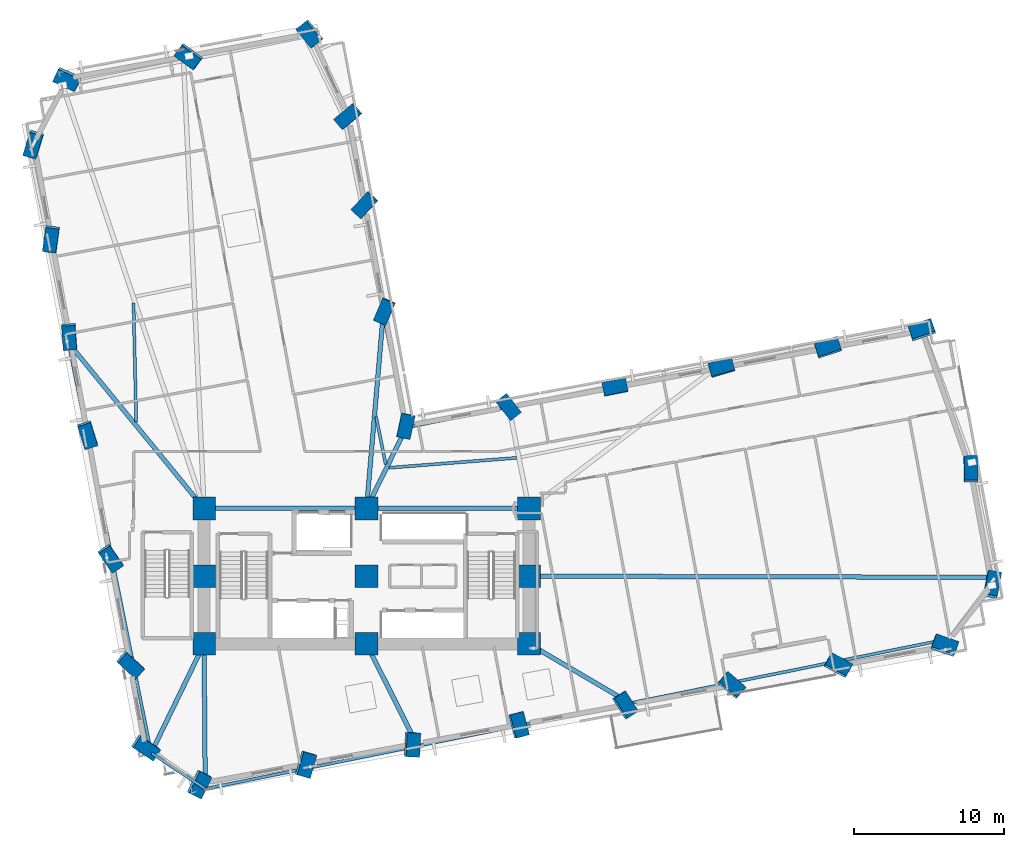
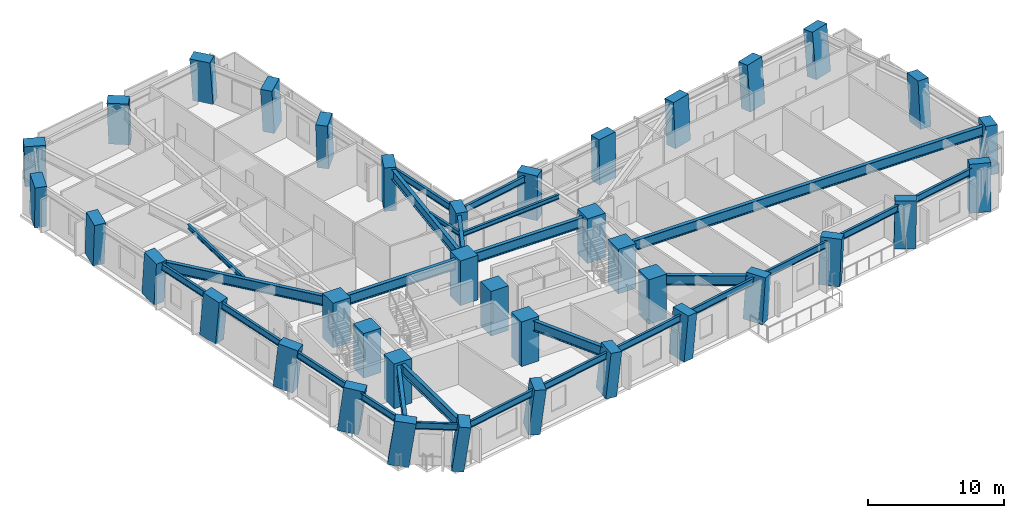
# One storey, part 1 of 16: 38 columns, 27 beams.
"""IFC4 building model written with IfcOpenShell, lengths in metres."""

from ifc_helpers import new_model, si_unit, direction, frame, origin, origin_2d, place, context, subcontext, project, spatial, rectangle, i_section, extrude, material, material_profile, profile_set, type_object, element, save


model = new_model("IFC4")

# Units and contexts
model_context = context("Model", 3, precision=1e-05, world=origin(), true_north=direction((0.0, 1.0)))
body_context = subcontext(model_context, "Body", "Model", "MODEL_VIEW")
ifc_project = project(units=[si_unit("LENGTHUNIT", "METRE"), si_unit("AREAUNIT", "SQUARE_METRE"), si_unit("VOLUMEUNIT", "CUBIC_METRE"), si_unit("PLANEANGLEUNIT", "RADIAN"), si_unit("MASSUNIT", "GRAM", prefix="KILO")], contexts=[model_context])

# Site, building, storey
site_placement = place(None, origin())
site = spatial("IfcSite", under=ifc_project, at=site_placement, CompositionType="ELEMENT")
building_placement = place(site_placement, origin())
building = spatial("IfcBuilding", under=site, at=building_placement, Name="Gaonmaruhae Medical Tower", CompositionType="ELEMENT")
storey_placement = place(building_placement, frame((0.0, 0.0, 67.0)))
storey = spatial("IfcBuildingStorey", under=building, at=storey_placement, Name="L15", CompositionType="ELEMENT", Elevation=67.0)

# Columns
ifc_material_1 = material(Name="Concrete C60/75", Category="concrete")
ifc_material_profile_1 = material_profile(ifc_material_1, rectangle(XDim=1.5, YDim=1.5, at=origin_2d()), Name="RC-1500x1500")
ifc_profile_set_1 = profile_set([ifc_material_profile_1], Name="Concrete C60/75")
column_type_1 = type_object("IfcColumnType", Name="CC-02 Zone 1 Core Column (RC-1500x1500)", PredefinedType="COLUMN", material=ifc_profile_set_1)
for number, where, z_axis, x_axis, name in (
    (1, (14.0, 7.800048828125, 0.0), (0.0, 0.0, 1.0), (1.0, 0.0, 0.0), "L15 Plumb Core Column CC11"),
    (2, (14.0, 12.300048828125, 0.0), (0.0, 0.0, 1.0), (1.0, 0.0, 0.0), "L15 Plumb Core Column CC12"),
    (3, (14.0, 16.800048828125, 0.0), (0.0, 0.0, 1.0), (1.0, 0.0, 0.0), "L15 Plumb Core Column CC13"),
    (4, (24.800048828125, 7.800048828125, 0.0), (0.0, 0.0, 1.0), (1.0, 0.0, 0.0), "L15 Plumb Core Column CC21"),
    (5, (24.800048828125, 12.300048828125, 0.0), (0.0, 0.0, 1.0), (1.0, 0.0, 0.0), "L15 Plumb Core Column CC22"),
    (6, (24.800048828125, 16.800048828125, 0.0), (0.0, 0.0, 1.0), (1.0, 0.0, 0.0), "L15 Plumb Core Column CC23"),
    (7, (35.60009765625, 7.800048828125, 0.0), (0.0, 0.0, 1.0), (1.0, 0.0, 0.0), "L15 Plumb Core Column CC31"),
    (8, (35.60009765625, 12.300048828125, 0.0), (0.0, 0.0, 1.0), (1.0, 0.0, 0.0), "L15 Plumb Core Column CC32"),
    (9, (35.60009765625, 16.800048828125, 0.0), (0.0, 0.0, 1.0), (1.0, 0.0, 0.0), "L15 Plumb Core Column CC33"),
):
    element("IfcColumn", number, at=place(storey_placement, frame(where, z_axis=z_axis, x_axis=x_axis)), inside=storey, type_object=column_type_1, Name=name, PredefinedType="COLUMN", context=body_context, shape_type="SweptSolid", body=[
        extrude(rectangle(XDim=1.5, YDim=1.5, at=origin_2d()), origin(), (0.0, 0.0, 1.0), 4.0),
    ])
ifc_material_profile_2 = material_profile(ifc_material_1, rectangle(XDim=1.60009765625, YDim=0.89990234375, at=origin_2d()), Name="RC-1600x900")
ifc_profile_set_2 = profile_set([ifc_material_profile_2], Name="Concrete C60/75")
column_type_2 = type_object("IfcColumnType", Name="TC-01 Lower Raking Tube Pier Column (RC-1600x900)", PredefinedType="COLUMN", material=ifc_profile_set_2)
column_1_placement = place(storey_placement, frame((13.640625, -1.506591796875, 0.001708984375), z_axis=(0.10869923994, -0.08110076922, 0.990760889654), x_axis=(0.444049859496, 0.895664355856, 0.02459845383)))
element("IfcColumn", 10, at=column_1_placement, inside=storey, type_object=column_type_2, Name="L15 Perimeter Tube Column S01", PredefinedType="COLUMN", context=body_context, shape_type="SweptSolid", body=[
    extrude(rectangle(XDim=1.60009765625, YDim=0.89990234375, at=origin_2d()), origin(), (0.0, 0.0, 1.0), 4.033935546875),
])
column_2_placement = place(storey_placement, frame((20.72119140625, -0.20068359375, 0.001708984375), z_axis=(0.103332373851, -0.052181938645, 0.993277134436), x_axis=(0.282481672483, 0.959042885962, 0.020996371026)))
element("IfcColumn", 11, at=column_2_placement, inside=storey, type_object=column_type_2, Name="L15 Perimeter Tube Column S02", PredefinedType="COLUMN", context=body_context, shape_type="SweptSolid", body=[
    extrude(rectangle(XDim=1.60009765625, YDim=0.89990234375, at=origin_2d()), origin(), (0.0, 0.0, 1.0), 4.023681640625),
])
column_3_placement = place(storey_placement, frame((27.8017578125, 1.105224609375, 0.001708984375), z_axis=(0.097912486594, -0.023095434454, 0.994927005301), x_axis=(0.0501328935, 0.998575865555, 0.018246471441)))
element("IfcColumn", 12, at=column_3_placement, inside=storey, type_object=column_type_2, Name="L15 Perimeter Tube Column S03", PredefinedType="COLUMN", context=body_context, shape_type="SweptSolid", body=[
    extrude(rectangle(XDim=1.60009765625, YDim=0.89990234375, at=origin_2d()), origin(), (0.0, 0.0, 1.0), 4.016845703125),
])
column_4_placement = place(storey_placement, frame((34.88232421875, 2.4111328125, 0.001708984375), z_axis=(0.092332756055, 0.006082526749, 0.995709628872), x_axis=(-0.244852017256, 0.969415188648, 0.016783374669)))
element("IfcColumn", 13, at=column_4_placement, inside=storey, type_object=column_type_2, Name="L15 Perimeter Tube Column S04", PredefinedType="COLUMN", context=body_context, shape_type="SweptSolid", body=[
    extrude(rectangle(XDim=1.60009765625, YDim=0.89990234375, at=origin_2d()), origin(), (0.0, 0.0, 1.0), 4.013916015625),
])
column_5_placement = place(storey_placement, frame((41.962890625, 3.71728515625, 0.001708984375), z_axis=(0.08666774321, 0.035214472504, 0.995614706206), x_axis=(-0.537485100414, 0.843102524473, 0.016967617985)))
element("IfcColumn", 14, at=column_5_placement, inside=storey, type_object=column_type_2, Name="L15 Perimeter Tube Column S05", PredefinedType="COLUMN", context=body_context, shape_type="SweptSolid", body=[
    extrude(rectangle(XDim=1.60009765625, YDim=0.89990234375, at=origin_2d()), origin(), (0.0, 0.0, 1.0), 4.01416015625),
])
column_6_placement = place(storey_placement, frame((49.04345703125, 5.023193359375, 0.001708984375), z_axis=(0.080992624248, 0.064344477929, 0.994635603112), x_axis=(-0.752977498779, 0.657778746776, 0.018761839526)))
element("IfcColumn", 15, at=column_6_placement, inside=storey, type_object=column_type_2, Name="L15 Perimeter Tube Column S06", PredefinedType="COLUMN", context=body_context, shape_type="SweptSolid", body=[
    extrude(rectangle(XDim=1.60009765625, YDim=0.89990234375, at=origin_2d()), origin(), (0.0, 0.0, 1.0), 4.01806640625),
])
column_7_placement = place(storey_placement, frame((56.1240234375, 6.3291015625, 0.001708984375), z_axis=(0.075202216603, 0.093335654317, 0.992790553063), x_axis=(-0.878753282804, 0.476780901997, 0.021740272603)))
element("IfcColumn", 16, at=column_7_placement, inside=storey, type_object=column_type_2, Name="L15 Perimeter Tube Column S07", PredefinedType="COLUMN", context=body_context, shape_type="SweptSolid", body=[
    extrude(rectangle(XDim=1.60009765625, YDim=0.89990234375, at=origin_2d()), origin(), (0.0, 0.0, 1.0), 4.025634765625),
])
column_8_placement = place(storey_placement, frame((63.20458984375, 7.635009765625, 0.001708984375), z_axis=(0.069432937009, 0.122112456291, 0.990084650561), x_axis=(-0.943645250183, 0.329976499913, 0.025478448008)))
element("IfcColumn", 17, at=column_8_placement, inside=storey, type_object=column_type_2, Name="L15 Perimeter Tube Column S08", PredefinedType="COLUMN", context=body_context, shape_type="SweptSolid", body=[
    extrude(rectangle(XDim=1.60009765625, YDim=0.89990234375, at=origin_2d()), origin(), (0.0, 0.0, 1.0), 4.03662109375),
])
column_9_placement = place(storey_placement, frame((66.3740234375, 11.677001953125, 0.001708984375), z_axis=(0.052706899267, 0.13484987645, 0.989463235088), x_axis=(-0.185294966749, -0.972313163776, 0.142382888173)))
element("IfcColumn", 18, at=column_9_placement, inside=storey, type_object=column_type_2, Name="L15 Perimeter Tube Column E01", PredefinedType="COLUMN", context=body_context, shape_type="SweptSolid", body=[
    extrude(rectangle(XDim=1.60009765625, YDim=0.89990234375, at=origin_2d()), origin(), (0.0, 0.0, 1.0), 4.0390625),
])
column_10_placement = place(storey_placement, frame((64.959228515625, 19.34765625, 0.001708984375), z_axis=(0.021317992834, 0.12905864412, 0.991407791759), x_axis=(0.020060394066, -0.99148872424, 0.128637826063)))
element("IfcColumn", 19, at=column_10_placement, inside=storey, type_object=column_type_2, Name="L15 Perimeter Tube Column E02", PredefinedType="COLUMN", context=body_context, shape_type="SweptSolid", body=[
    extrude(rectangle(XDim=1.60009765625, YDim=0.89990234375, at=origin_2d()), origin(), (0.0, 0.0, 1.0), 4.03125),
])
column_11_placement = place(storey_placement, frame((61.724609375, 28.61474609375, 0.001708984375), z_axis=(-0.0166839767, 0.115635125786, 0.993151631226), x_axis=(-0.947610989873, -0.31872301887, 0.021190778971)))
element("IfcColumn", 20, at=column_11_placement, inside=storey, type_object=column_type_2, Name="L15 Perimeter Tube Column E03", PredefinedType="COLUMN", context=body_context, shape_type="SweptSolid", body=[
    extrude(rectangle(XDim=1.60009765625, YDim=0.89990234375, at=origin_2d()), origin(), (0.0, 0.0, 1.0), 4.024169921875),
])
column_12_placement = place(storey_placement, frame((55.47998046875, 27.462890625, 0.001708984375), z_axis=(-0.01174096619, 0.090216854196, 0.995852935394), x_axis=(-0.951879637857, -0.306027551893, 0.016501288293)))
element("IfcColumn", 21, at=column_12_placement, inside=storey, type_object=column_type_2, Name="L15 Perimeter Tube Column EN01", PredefinedType="COLUMN", context=body_context, shape_type="SweptSolid", body=[
    extrude(rectangle(XDim=1.60009765625, YDim=0.89990234375, at=origin_2d()), origin(), (0.0, 0.0, 1.0), 4.01318359375),
])
column_13_placement = place(storey_placement, frame((48.3994140625, 26.156982421875, 0.001708984375), z_axis=(-0.006158157551, 0.061154772509, 0.998109298071), x_axis=(-0.960327160193, -0.278652944125, 0.011148189357)))
element("IfcColumn", 22, at=column_13_placement, inside=storey, type_object=column_type_2, Name="L15 Perimeter Tube Column EN02", PredefinedType="COLUMN", context=body_context, shape_type="SweptSolid", body=[
    extrude(rectangle(XDim=1.60009765625, YDim=0.89990234375, at=origin_2d()), origin(), (0.0, 0.0, 1.0), 4.004150390625),
])
column_14_placement = place(storey_placement, frame((41.31884765625, 24.850830078125, 0.001708984375), z_axis=(-0.000488448607, 0.031993383734, 0.999487961316), x_axis=(-0.980531593109, -0.196275606445, 0.005803553148)))
element("IfcColumn", 23, at=column_14_placement, inside=storey, type_object=column_type_2, Name="L15 Perimeter Tube Column EN03", PredefinedType="COLUMN", context=body_context, shape_type="SweptSolid", body=[
    extrude(rectangle(XDim=1.60009765625, YDim=0.89990234375, at=origin_2d()), origin(), (0.0, 0.0, 1.0), 3.99853515625),
])
column_15_placement = place(storey_placement, frame((34.23828125, 23.544921875, 0.001708984375), z_axis=(0.005192336417, 0.002687797675, 0.999982907547), x_axis=(-0.613155406011, 0.789961596207, 0.001060470329)))
element("IfcColumn", 24, at=column_15_placement, inside=storey, type_object=column_type_2, Name="L15 Perimeter Tube Column EN04", PredefinedType="COLUMN", context=body_context, shape_type="SweptSolid", body=[
    extrude(rectangle(XDim=1.60009765625, YDim=0.89990234375, at=origin_2d()), origin(), (0.0, 0.0, 1.0), 3.99658203125),
])
column_16_placement = place(storey_placement, frame((27.403564453125, 22.284423828125, 0.001708984375), z_axis=(0.010625119883, -0.025585777191, 0.999616163751), x_axis=(0.208001116398, 0.977862398448, 0.022818091063)))
element("IfcColumn", 25, at=column_16_placement, inside=storey, type_object=column_type_2, Name="L15 Perimeter Tube Column KN01", PredefinedType="COLUMN", context=body_context, shape_type="SweptSolid", body=[
    extrude(rectangle(XDim=1.60009765625, YDim=0.89990234375, at=origin_2d()), origin(), (0.0, 0.0, 1.0), 3.998046875),
])
column_17_placement = place(storey_placement, frame((25.997802734375, 29.90576171875, 0.001708984375), z_axis=(-0.020876832411, -0.031681508834, 0.999279960705), x_axis=(0.389269101101, 0.920368059584, 0.037312220861)))
element("IfcColumn", 26, at=column_17_placement, inside=storey, type_object=column_type_2, Name="L15 Perimeter Tube Column NE01", PredefinedType="COLUMN", context=body_context, shape_type="SweptSolid", body=[
    extrude(rectangle(XDim=1.60009765625, YDim=0.89990234375, at=origin_2d()), origin(), (0.0, 0.0, 1.0), 3.99951171875),
])
column_18_placement = place(storey_placement, frame((24.69189453125, 36.986328125, 0.001708984375), z_axis=(-0.050115811496, -0.037251533849, 0.998048460078), x_axis=(0.679516085255, 0.731086106999, 0.061408419881)))
element("IfcColumn", 27, at=column_18_placement, inside=storey, type_object=column_type_2, Name="L15 Perimeter Tube Column NE02", PredefinedType="COLUMN", context=body_context, shape_type="SweptSolid", body=[
    extrude(rectangle(XDim=1.60009765625, YDim=0.89990234375, at=origin_2d()), origin(), (0.0, 0.0, 1.0), 4.00439453125),
])
column_19_placement = place(storey_placement, frame((23.603515625, 42.88671875, 0.001708984375), z_axis=(-0.074376330215, -0.041874726013, 0.996350675628), x_axis=(0.764820928935, 0.638751349577, 0.083938430279)))
element("IfcColumn", 28, at=column_19_placement, inside=storey, type_object=column_type_2, Name="L15 Perimeter Tube Column NE03", PredefinedType="COLUMN", context=body_context, shape_type="SweptSolid", body=[
    extrude(rectangle(XDim=1.60009765625, YDim=0.89990234375, at=origin_2d()), origin(), (0.0, 0.0, 1.0), 4.01123046875),
])
column_20_placement = place(storey_placement, frame((21.0673828125, 48.36767578125, 0.001708984375), z_axis=(-0.09666113666, -0.052459310348, 0.99393392407), x_axis=(0.627529490688, -0.778337220111, 0.019947684239)))
element("IfcColumn", 29, at=column_20_placement, inside=storey, type_object=column_type_2, Name="L15 Perimeter Tube Column N01", PredefinedType="COLUMN", context=body_context, shape_type="SweptSolid", body=[
    extrude(rectangle(XDim=1.60009765625, YDim=0.89990234375, at=origin_2d()), origin(), (0.0, 0.0, 1.0), 4.02099609375),
])
column_21_placement = place(storey_placement, frame((13.00341796875, 46.88037109375, 0.001708984375), z_axis=(-0.090133434514, -0.085466134946, 0.992255765294), x_axis=(0.80725313107, -0.589775227835, 0.022529159111)))
element("IfcColumn", 30, at=column_21_placement, inside=storey, type_object=column_type_2, Name="L15 Perimeter Tube Column N02", PredefinedType="COLUMN", context=body_context, shape_type="SweptSolid", body=[
    extrude(rectangle(XDim=1.60009765625, YDim=0.89990234375, at=origin_2d()), origin(), (0.0, 0.0, 1.0), 4.02783203125),
])
column_22_placement = place(storey_placement, frame((4.939208984375, 45.39306640625, 0.001708984375), z_axis=(-0.083472850477, -0.11828846371, 0.989464563583), x_axis=(0.906971649955, -0.420372326755, 0.026258961828)))
element("IfcColumn", 31, at=column_22_placement, inside=storey, type_object=column_type_2, Name="L15 Perimeter Tube Column N03", PredefinedType="COLUMN", context=body_context, shape_type="SweptSolid", body=[
    extrude(rectangle(XDim=1.60009765625, YDim=0.89990234375, at=origin_2d()), origin(), (0.0, 0.0, 1.0), 4.0390625),
])
column_23_placement = place(storey_placement, frame((2.6875, 41.062744140625, 0.001708984375), z_axis=(-0.065656111176, -0.127382528773, 0.989678213577), x_axis=(0.284677046558, 0.948207555365, 0.140930518737)))
element("IfcColumn", 32, at=column_23_placement, inside=storey, type_object=column_type_2, Name="L15 Perimeter Tube Column W01", PredefinedType="COLUMN", context=body_context, shape_type="SweptSolid", body=[
    extrude(rectangle(XDim=1.60009765625, YDim=0.89990234375, at=origin_2d()), origin(), (0.0, 0.0, 1.0), 4.038330078125),
])
column_24_placement = place(storey_placement, frame((3.848388671875, 34.768798828125, 0.001708984375), z_axis=(-0.03998098136, -0.122608342836, 0.991649492208), x_axis=(0.129891662299, 0.983383955288, 0.126823312316)))
element("IfcColumn", 33, at=column_24_placement, inside=storey, type_object=column_type_2, Name="L15 Perimeter Tube Column W02", PredefinedType="COLUMN", context=body_context, shape_type="SweptSolid", body=[
    extrude(rectangle(XDim=1.60009765625, YDim=0.89990234375, at=origin_2d()), origin(), (0.0, 0.0, 1.0), 4.0302734375),
])
column_25_placement = place(storey_placement, frame((5.04541015625, 28.2783203125, 0.001708984375), z_axis=(-0.013344734018, -0.117615633003, 0.992969526696), x_axis=(-0.070133235164, 0.990722341478, 0.11640692171)))
element("IfcColumn", 34, at=column_25_placement, inside=storey, type_object=column_type_2, Name="L15 Perimeter Tube Column W03", PredefinedType="COLUMN", context=body_context, shape_type="SweptSolid", body=[
    extrude(rectangle(XDim=1.60009765625, YDim=0.89990234375, at=origin_2d()), origin(), (0.0, 0.0, 1.0), 4.02490234375),
])
column_26_placement = place(storey_placement, frame((6.251708984375, 21.738525390625, 0.001708984375), z_axis=(0.01353479712, -0.112466273825, 0.99356335808), x_axis=(-0.296823197061, 0.948412502806, 0.111398896802)))
element("IfcColumn", 35, at=column_26_placement, inside=storey, type_object=column_type_2, Name="L15 Perimeter Tube Column W04", PredefinedType="COLUMN", context=body_context, shape_type="SweptSolid", body=[
    extrude(rectangle(XDim=1.60009765625, YDim=0.89990234375, at=origin_2d()), origin(), (0.0, 0.0, 1.0), 4.0224609375),
])
column_27_placement = place(storey_placement, frame((7.76611328125, 13.527099609375, 0.001708984375), z_axis=(0.047326314485, -0.105938134731, 0.993245856557), x_axis=(-0.564013508925, 0.817844108, 0.114104236379)))
element("IfcColumn", 36, at=column_27_placement, inside=storey, type_object=column_type_2, Name="L15 Perimeter Tube Column W05", PredefinedType="COLUMN", context=body_context, shape_type="SweptSolid", body=[
    extrude(rectangle(XDim=1.60009765625, YDim=0.89990234375, at=origin_2d()), origin(), (0.0, 0.0, 1.0), 4.023681640625),
])
column_28_placement = place(storey_placement, frame((9.072265625, 6.446533203125, 0.001708984375), z_axis=(0.076296347204, -0.100233644381, 0.992034315907), x_axis=(-0.7352134667, 0.666419733546, 0.123878557963)))
element("IfcColumn", 37, at=column_28_placement, inside=storey, type_object=column_type_2, Name="L15 Perimeter Tube Column W06", PredefinedType="COLUMN", context=body_context, shape_type="SweptSolid", body=[
    extrude(rectangle(XDim=1.60009765625, YDim=0.89990234375, at=origin_2d()), origin(), (0.0, 0.0, 1.0), 4.028564453125),
])
column_29_placement = place(storey_placement, frame((10.087890625, 0.939453125, 0.001708984375), z_axis=(0.098747265659, -0.095721920511, 0.990498001744), x_axis=(-0.825644143068, 0.547741051203, 0.135246034483)))
element("IfcColumn", 38, at=column_29_placement, inside=storey, type_object=column_type_2, Name="L15 Perimeter Tube Column W07", PredefinedType="COLUMN", context=body_context, shape_type="SweptSolid", body=[
    extrude(rectangle(XDim=1.60009765625, YDim=0.89990234375, at=origin_2d()), origin(), (0.0, 0.0, 1.0), 4.034912109375),
])

# Beams
ifc_material_2 = material(Name="Steel SM355", Category="steel")
ifc_material_profile_3 = material_profile(ifc_material_2, i_section(OverallWidth=0.199951171875, OverallDepth=0.39990234375, WebThickness=0.008056640625, FlangeThickness=0.012939453125, FilletRadius=0.012939453125, at=origin_2d()), Name="H-400x200x8x13")
ifc_profile_set_3 = profile_set([ifc_material_profile_3], Name="Steel SM355")
beam_type_1 = type_object("IfcBeamType", Name="FJ-01 Lower Zone Ward Floor Joist (H-400x200x8x13)", PredefinedType="JOIST", material=ifc_profile_set_3)
beam_1_placement = place(storey_placement, frame((34.77294921875, 20.16552734375, 3.580078125), z_axis=(-0.996974332069, -0.077731468503, 0.0), x_axis=(0.077731468503, -0.996974332069, 0.0)))
element("IfcBeam", 39, at=beam_1_placement, inside=storey, type_object=beam_type_1, Name="L15 Secondary Floor Joist FJ06", PredefinedType="JOIST", context=body_context, shape_type="SweptSolid", body=[
    extrude(i_section(OverallWidth=0.199951171875, OverallDepth=0.39990234375, WebThickness=0.008056640625, FlangeThickness=0.012939453125, FilletRadius=0.012939453125, at=origin_2d()), origin(), (0.0, 0.0, 1.0), 8.495849609375),
])
beam_2_placement = place(storey_placement, frame((26.0732421875, 19.738037109375, 3.580078125), z_axis=(-0.197674929741, 0.98026762782, 0.0), x_axis=(-0.98026762782, -0.197674929741, 0.0)))
element("IfcBeam", 40, at=beam_2_placement, inside=storey, type_object=beam_type_1, Name="L15 Secondary Floor Joist FJ07", PredefinedType="JOIST", context=body_context, shape_type="SweptSolid", body=[
    extrude(i_section(OverallWidth=0.199951171875, OverallDepth=0.39990234375, WebThickness=0.008056640625, FlangeThickness=0.012939453125, FilletRadius=0.012939453125, at=origin_2d()), origin(), (0.0, 0.0, 1.0), 3.22216796875),
])
beam_3_placement = place(storey_placement, frame((9.31005859375, 30.45703125, 3.580078125), z_axis=(0.022785929304, -0.999740367008, 0.0), x_axis=(0.999740367008, 0.022785929304, 0.0)))
element("IfcBeam", 41, at=beam_3_placement, inside=storey, type_object=beam_type_1, Name="L15 Secondary Floor Joist FJ10", PredefinedType="JOIST", context=body_context, shape_type="SweptSolid", body=[
    extrude(i_section(OverallWidth=0.199951171875, OverallDepth=0.39990234375, WebThickness=0.008056640625, FlangeThickness=0.012939453125, FilletRadius=0.012939453125, at=origin_2d()), origin(), (0.0, 0.0, 1.0), 7.9072265625),
])
ifc_material_3 = material(Name="Steel SM420", Category="steel")
ifc_material_profile_4 = material_profile(ifc_material_3, i_section(OverallWidth=0.300048828125, OverallDepth=0.89990234375, WebThickness=0.01611328125, FlangeThickness=0.028076171875, FilletRadius=0.01806640625, at=origin_2d()), Name="H-900x300x16x28")
ifc_profile_set_4 = profile_set([ifc_material_profile_4], Name="Steel SM420")
beam_type_2 = type_object("IfcBeamType", Name="PG-01 Zone 1 Radial Floor Girder (H-900x300x16x28)", PredefinedType="BEAM", material=ifc_profile_set_4)
for number, where, z_axis, x_axis, name in (
    (42, (14.050048828125, 16.800048828125, 3.330078125), (1.0, 0.0, 0.0), (0.0, 1.0, 0.0), "L15 Beam BM-L15-CG-N1"),
    (43, (24.85009765625, 16.800048828125, 3.330078125), (1.0, 0.0, 0.0), (0.0, 1.0, 0.0), "L15 Beam BM-L15-CG-N2"),
):
    element("IfcBeam", number, at=place(storey_placement, frame(where, z_axis=z_axis, x_axis=x_axis)), inside=storey, type_object=beam_type_2, Name=name, PredefinedType="BEAM", context=body_context, shape_type="SweptSolid", body=[
        extrude(i_section(OverallWidth=0.300048828125, OverallDepth=0.89990234375, WebThickness=0.01611328125, FlangeThickness=0.028076171875, FilletRadius=0.01806640625, at=origin_2d()), origin(), (0.0, 0.0, 1.0), 10.699951171875),
    ])
beam_4_placement = place(storey_placement, frame((14.00048828125, 7.75, 3.330078125), z_axis=(0.00821974228, -0.999966217348, 0.0), x_axis=(0.999966217348, 0.00821974228, 0.0)))
element("IfcBeam", 44, at=beam_4_placement, inside=storey, type_object=beam_type_2, Name="L15 Radial Primary Girder S01", PredefinedType="BEAM", context=body_context, shape_type="SweptSolid", body=[
    extrude(i_section(OverallWidth=0.300048828125, OverallDepth=0.89990234375, WebThickness=0.01611328125, FlangeThickness=0.028076171875, FilletRadius=0.01806640625, at=origin_2d()), origin(), (0.0, 0.0, 1.0), 9.5341796875),
])
beam_5_placement = place(storey_placement, frame((24.822265625, 7.75537109375, 3.330078125), z_axis=(0.447370057345, -0.89434894297, 0.0), x_axis=(0.89434894297, 0.447370057345, 0.0)))
element("IfcBeam", 45, at=beam_5_placement, inside=storey, type_object=beam_type_2, Name="L15 Radial Primary Girder S03", PredefinedType="BEAM", context=body_context, shape_type="SweptSolid", body=[
    extrude(i_section(OverallWidth=0.300048828125, OverallDepth=0.89990234375, WebThickness=0.01611328125, FlangeThickness=0.028076171875, FilletRadius=0.01806640625, at=origin_2d()), origin(), (0.0, 0.0, 1.0), 7.489501953125),
])
beam_6_placement = place(storey_placement, frame((35.64306640625, 7.774658203125, 3.330078125), z_axis=(0.862299956802, -0.50639785199, 0.0), x_axis=(0.50639785199, 0.862299956802, 0.0)))
element("IfcBeam", 46, at=beam_6_placement, inside=storey, type_object=beam_type_2, Name="L15 Radial Primary Girder S05", PredefinedType="BEAM", context=body_context, shape_type="SweptSolid", body=[
    extrude(i_section(OverallWidth=0.300048828125, OverallDepth=0.89990234375, WebThickness=0.01611328125, FlangeThickness=0.028076171875, FilletRadius=0.01806640625, at=origin_2d()), origin(), (0.0, 0.0, 1.0), 7.682861328125),
])
beam_7_placement = place(storey_placement, frame((35.64990234375, 12.2998046875, 3.330078125), z_axis=(0.999996840984, -0.00251356774, 0.0), x_axis=(0.00251356774, 0.999996840984, 0.0)))
element("IfcBeam", 47, at=beam_7_placement, inside=storey, type_object=beam_type_2, Name="L15 Radial Primary Girder E01", PredefinedType="BEAM", context=body_context, shape_type="SweptSolid", body=[
    extrude(i_section(OverallWidth=0.300048828125, OverallDepth=0.89990234375, WebThickness=0.01611328125, FlangeThickness=0.028076171875, FilletRadius=0.01806640625, at=origin_2d()), origin(), (0.0, 0.0, 1.0), 30.886962890625),
])
beam_8_placement = place(storey_placement, frame((24.822021484375, 16.844970703125, 3.330078125), z_axis=(0.441225657484, 0.897396188524, 0.0), x_axis=(-0.897396188524, 0.441225657484, 0.0)))
element("IfcBeam", 48, at=beam_8_placement, inside=storey, type_object=beam_type_2, Name="L15 Radial Primary Girder KN01", PredefinedType="BEAM", context=body_context, shape_type="SweptSolid", body=[
    extrude(i_section(OverallWidth=0.300048828125, OverallDepth=0.89990234375, WebThickness=0.01611328125, FlangeThickness=0.028076171875, FilletRadius=0.01806640625, at=origin_2d()), origin(), (0.0, 0.0, 1.0), 5.897216796875),
])
beam_9_placement = place(storey_placement, frame((24.80419921875, 16.849853515625, 3.330078125), z_axis=(0.085536666802, 0.996335023289, 0.0), x_axis=(-0.996335023289, 0.085536666802, 0.0)))
element("IfcBeam", 49, at=beam_9_placement, inside=storey, type_object=beam_type_2, Name="L15 Radial Primary Girder NE01", PredefinedType="BEAM", context=body_context, shape_type="SweptSolid", body=[
    extrude(i_section(OverallWidth=0.300048828125, OverallDepth=0.89990234375, WebThickness=0.01611328125, FlangeThickness=0.028076171875, FilletRadius=0.01806640625, at=origin_2d()), origin(), (0.0, 0.0, 1.0), 12.9267578125),
])
beam_10_placement = place(storey_placement, frame((13.96826171875, 16.838623046875, 3.330078125), z_axis=(-0.633422298858, 0.773806300898, 0.0), x_axis=(-0.773806300898, -0.633422298858, 0.0)))
element("IfcBeam", 50, at=beam_10_placement, inside=storey, type_object=beam_type_2, Name="L15 Radial Primary Girder W03", PredefinedType="BEAM", context=body_context, shape_type="SweptSolid", body=[
    extrude(i_section(OverallWidth=0.300048828125, OverallDepth=0.89990234375, WebThickness=0.01611328125, FlangeThickness=0.028076171875, FilletRadius=0.01806640625, at=origin_2d()), origin(), (0.0, 0.0, 1.0), 14.121337890625),
])
beam_11_placement = place(storey_placement, frame((13.978271484375, 7.755126953125, 3.330078125), z_axis=(-0.436265222328, -0.899818123727, 0.0), x_axis=(0.899818123727, -0.436265222328, 0.0)))
element("IfcBeam", 51, at=beam_11_placement, inside=storey, type_object=beam_type_2, Name="L15 Radial Primary Girder W07", PredefinedType="BEAM", context=body_context, shape_type="SweptSolid", body=[
    extrude(i_section(OverallWidth=0.300048828125, OverallDepth=0.89990234375, WebThickness=0.01611328125, FlangeThickness=0.028076171875, FilletRadius=0.01806640625, at=origin_2d()), origin(), (0.0, 0.0, 1.0), 7.953857421875),
])
ifc_material_profile_5 = material_profile(ifc_material_2, i_section(OverallWidth=0.199951171875, OverallDepth=0.60009765625, WebThickness=0.010986328125, FlangeThickness=0.01708984375, FilletRadius=0.012939453125, at=origin_2d()), Name="H-600x200x11x17")
ifc_profile_set_5 = profile_set([ifc_material_profile_5], Name="Steel SM355")
beam_type_3 = type_object("IfcBeamType", Name="SP-01 Lower Perimeter Spandrel Beam (H-600x200x11x17)", PredefinedType="SPANDREL", material=ifc_profile_set_5)
for number, where, z_axis, x_axis, name in (
    (52, (14.118408203125, -1.825927734375, 3.47998046875), (0.980273512802, 0.197645743941, 0.0), (-0.197645743941, 0.980273512802, 0.0), "L15 Perimeter Spandrel Beam S01-S02"),
    (53, (21.176513671875, -0.40283203125, 3.47998046875), (0.980273512802, 0.197645743941, 0.0), (-0.197645743941, 0.980273512802, 0.0), "L15 Perimeter Spandrel Beam S02-S03"),
    (54, (28.234375, 1.020263671875, 3.47998046875), (0.980266868774, 0.197678693804, 0.0), (-0.197678693804, 0.980266868774, 0.0), "L15 Perimeter Spandrel Beam S03-S04"),
):
    element("IfcBeam", number, at=place(storey_placement, frame(where, z_axis=z_axis, x_axis=x_axis)), inside=storey, type_object=beam_type_3, Name=name, PredefinedType="SPANDREL", context=body_context, shape_type="SweptSolid", body=[
        extrude(i_section(OverallWidth=0.199951171875, OverallDepth=0.60009765625, WebThickness=0.010986328125, FlangeThickness=0.01708984375, FilletRadius=0.012939453125, at=origin_2d()), origin(), (0.0, 0.0, 1.0), 7.119873046875),
    ])
beam_12_placement = place(storey_placement, frame((35.292236328125, 2.443359375, 3.47998046875), z_axis=(0.980268208631, 0.197672049486, 0.0), x_axis=(-0.197672049486, 0.980268208631, 0.0)))
element("IfcBeam", 55, at=beam_12_placement, inside=storey, type_object=beam_type_3, Name="L15 Perimeter Spandrel Beam S04-S05", PredefinedType="SPANDREL", context=body_context, shape_type="SweptSolid", body=[
    extrude(i_section(OverallWidth=0.199951171875, OverallDepth=0.60009765625, WebThickness=0.010986328125, FlangeThickness=0.01708984375, FilletRadius=0.012939453125, at=origin_2d()), origin(), (0.0, 0.0, 1.0), 7.1201171875),
])
for number, where, z_axis, x_axis, name in (
    (56, (42.350341796875, 3.866455078125, 3.47998046875), (0.980266868774, 0.197678693804, 0.0), (-0.197678693804, 0.980266868774, 0.0), "L15 Perimeter Spandrel Beam S05-S06"),
    (57, (49.408203125, 5.289794921875, 3.4599609375), (0.980273512802, 0.197645743941, 0.0), (-0.197645743941, 0.980273512802, 0.0), "L15 Perimeter Spandrel Beam S06-S07"),
):
    element("IfcBeam", number, at=place(storey_placement, frame(where, z_axis=z_axis, x_axis=x_axis)), inside=storey, type_object=beam_type_3, Name=name, PredefinedType="SPANDREL", context=body_context, shape_type="SweptSolid", body=[
        extrude(i_section(OverallWidth=0.199951171875, OverallDepth=0.60009765625, WebThickness=0.010986328125, FlangeThickness=0.01708984375, FilletRadius=0.012939453125, at=origin_2d()), origin(), (0.0, 0.0, 1.0), 7.119873046875),
    ])
beam_13_placement = place(storey_placement, frame((56.466064453125, 6.712890625, 3.4599609375), z_axis=(0.980274852222, 0.19763910064, 0.0), x_axis=(-0.19763910064, 0.980274852222, 0.0)))
element("IfcBeam", 58, at=beam_13_placement, inside=storey, type_object=beam_type_3, Name="L15 Perimeter Spandrel Beam S07-S08", PredefinedType="SPANDREL", context=body_context, shape_type="SweptSolid", body=[
    extrude(i_section(OverallWidth=0.199951171875, OverallDepth=0.60009765625, WebThickness=0.010986328125, FlangeThickness=0.01708984375, FilletRadius=0.012939453125, at=origin_2d()), origin(), (0.0, 0.0, 1.0), 7.1201171875),
])
beam_14_placement = place(storey_placement, frame((34.2197265625, 23.5478515625, 3.47998046875), z_axis=(-0.980270555102, -0.197660412829, 0.0), x_axis=(0.197660412829, -0.980270555102, 0.0)))
element("IfcBeam", 59, at=beam_14_placement, inside=storey, type_object=beam_type_3, Name="L15 Perimeter Spandrel Beam EN04-KN01", PredefinedType="SPANDREL", context=body_context, shape_type="SweptSolid", body=[
    extrude(i_section(OverallWidth=0.199951171875, OverallDepth=0.60009765625, WebThickness=0.010986328125, FlangeThickness=0.01708984375, FilletRadius=0.012939453125, at=origin_2d()), origin(), (0.0, 0.0, 1.0), 6.869873046875),
])
beam_15_placement = place(storey_placement, frame((27.438232421875, 22.22119140625, 3.47998046875), z_axis=(-0.197664544393, 0.98026972201, 0.0), x_axis=(-0.98026972201, -0.197664544393, 0.0)))
element("IfcBeam", 60, at=beam_15_placement, inside=storey, type_object=beam_type_3, Name="L15 Perimeter Spandrel Beam KN01-NE01", PredefinedType="SPANDREL", context=body_context, shape_type="SweptSolid", body=[
    extrude(i_section(OverallWidth=0.199951171875, OverallDepth=0.60009765625, WebThickness=0.010986328125, FlangeThickness=0.01708984375, FilletRadius=0.012939453125, at=origin_2d()), origin(), (0.0, 0.0, 1.0), 7.670166015625),
])
beam_16_placement = place(storey_placement, frame((4.99951171875, 27.765380859375, 3.47998046875), z_axis=(0.197688011574, -0.980264989725, 0.0), x_axis=(0.980264989725, 0.197688011574, 0.0)))
element("IfcBeam", 61, at=beam_16_placement, inside=storey, type_object=beam_type_3, Name="L15 Perimeter Spandrel Beam W03-W04", PredefinedType="SPANDREL", context=body_context, shape_type="SweptSolid", body=[
    extrude(i_section(OverallWidth=0.199951171875, OverallDepth=0.60009765625, WebThickness=0.010986328125, FlangeThickness=0.01708984375, FilletRadius=0.012939453125, at=origin_2d()), origin(), (0.0, 0.0, 1.0), 6.570068359375),
])
beam_17_placement = place(storey_placement, frame((6.31396484375, 21.24658203125, 3.47998046875), z_axis=(0.197677128937, -0.980267184341, 0.0), x_axis=(0.980267184341, 0.197677128937, 0.0)))
element("IfcBeam", 62, at=beam_17_placement, inside=storey, type_object=beam_type_3, Name="L15 Perimeter Spandrel Beam W04-W05", PredefinedType="SPANDREL", context=body_context, shape_type="SweptSolid", body=[
    extrude(i_section(OverallWidth=0.199951171875, OverallDepth=0.60009765625, WebThickness=0.010986328125, FlangeThickness=0.01708984375, FilletRadius=0.012939453125, at=origin_2d()), origin(), (0.0, 0.0, 1.0), 8.269775390625),
])
beam_18_placement = place(storey_placement, frame((7.96435546875, 13.061279296875, 3.47998046875), z_axis=(0.197678693804, -0.980266868774, 0.0), x_axis=(0.980266868774, 0.197678693804, 0.0)))
element("IfcBeam", 63, at=beam_18_placement, inside=storey, type_object=beam_type_3, Name="L15 Perimeter Spandrel Beam W05-W06", PredefinedType="SPANDREL", context=body_context, shape_type="SweptSolid", body=[
    extrude(i_section(OverallWidth=0.199951171875, OverallDepth=0.60009765625, WebThickness=0.010986328125, FlangeThickness=0.01708984375, FilletRadius=0.012939453125, at=origin_2d()), origin(), (0.0, 0.0, 1.0), 7.119873046875),
])
beam_19_placement = place(storey_placement, frame((9.3876953125, 6.00341796875, 3.47998046875), z_axis=(0.197655371484, -0.980271571619, 0.0), x_axis=(0.980271571619, 0.197655371484, 0.0)))
element("IfcBeam", 64, at=beam_19_placement, inside=storey, type_object=beam_type_3, Name="L15 Perimeter Spandrel Beam W06-W07", PredefinedType="SPANDREL", context=body_context, shape_type="SweptSolid", body=[
    extrude(i_section(OverallWidth=0.199951171875, OverallDepth=0.60009765625, WebThickness=0.010986328125, FlangeThickness=0.01708984375, FilletRadius=0.012939453125, at=origin_2d()), origin(), (0.0, 0.0, 1.0), 5.52001953125),
])
beam_20_placement = place(storey_placement, frame((10.519775390625, 0.531005859375, 3.47998046875), z_axis=(0.832918748872, -0.553395299742, 0.0), x_axis=(0.553395299742, 0.832918748872, 0.0)))
element("IfcBeam", 65, at=beam_20_placement, inside=storey, type_object=beam_type_3, Name="L15 Perimeter Spandrel Beam W07-S01", PredefinedType="SPANDREL", context=body_context, shape_type="SweptSolid", body=[
    extrude(i_section(OverallWidth=0.199951171875, OverallDepth=0.60009765625, WebThickness=0.010986328125, FlangeThickness=0.01708984375, FilletRadius=0.012939453125, at=origin_2d()), origin(), (0.0, 0.0, 1.0), 4.2333984375),
])

save(model, "model.ifc")
